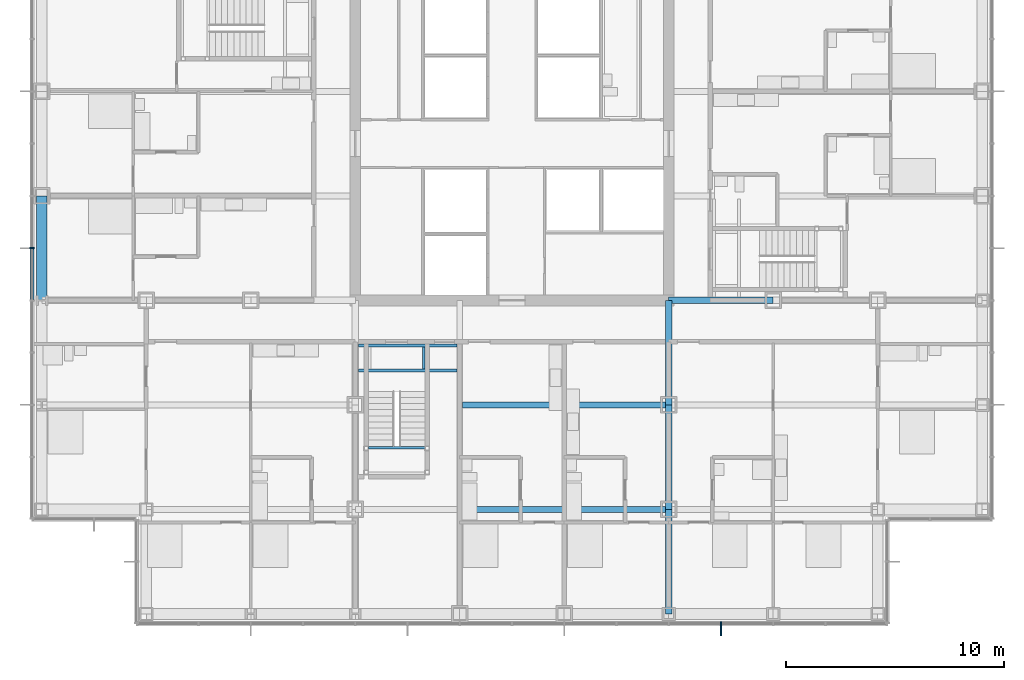
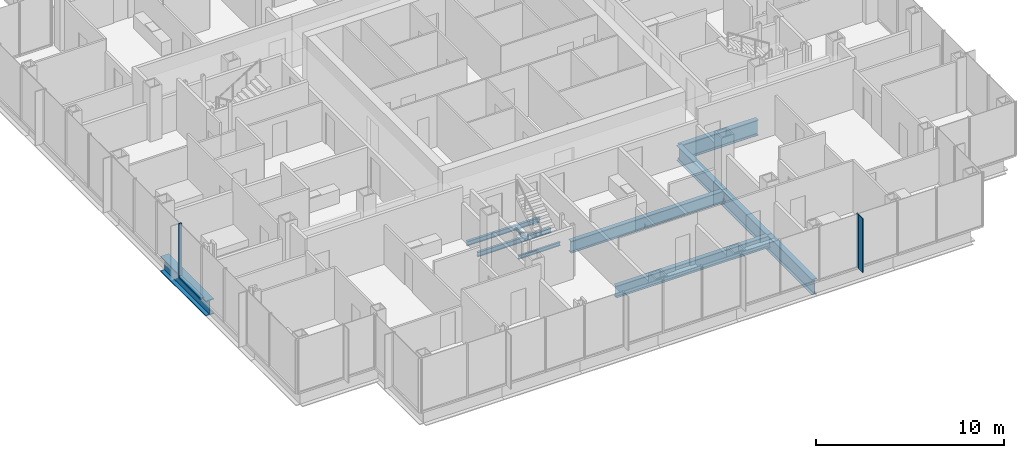
# One storey, part 7 of 21: 11 beams, 4 members, 2 elements without a shape of their own.
"""IFC4 building model written with IfcOpenShell, lengths in metres."""

import ifcopenshell
import ifcopenshell.guid

model = None  # the IFC model being written
_history = None  # IfcOwnerHistory: only IFC2X3 demands one
_inside = {}  # id of a spatial element -> (the spatial element, [elements in it])
_under = {}  # id of a project, library or spatial element -> (it, [spatial elements below it])
_declared = {}  # id of a project -> (the project, [libraries it declares])
_typed = {}  # id of a type object -> (the type object, [elements of that type])
_made_of = {}  # id of a material, layer set ... -> (it, [elements and type objects made of it])


def new_model(schema):
    """Start an empty IFC model of exactly this schema.

    Asked for "IFC4X3", IfcOpenShell would pick the latest addendum, in which some entities
    have other attributes; the version numbers below select the first issue.
    IFC2X3 requires an IfcOwnerHistory on every rooted entity: one is made here for all.
    """
    global model, _history
    if schema == "IFC4X3":
        model = ifcopenshell.file(schema_version=(4, 3, 0, 0))
    else:
        model = ifcopenshell.file(schema=schema)
    _inside.clear()
    _under.clear()
    _declared.clear()
    _typed.clear()
    _made_of.clear()
    _history = None
    if model.schema == "IFC2X3":
        org = make("IfcOrganization", Name="unknown")
        user = make(
            "IfcPersonAndOrganization",
            ThePerson=make("IfcPerson", FamilyName="unknown"),
            TheOrganization=org,
        )
        app = make(
            "IfcApplication",
            ApplicationDeveloper=org,
            Version="unknown",
            ApplicationFullName="unknown",
            ApplicationIdentifier="unknown",
        )
        _history = make(
            "IfcOwnerHistory",
            OwningUser=user,
            OwningApplication=app,
            ChangeAction="ADDED",
            CreationDate=0,
        )
    return model


def make(cls, **values):
    """One entity of the class cls with the attributes given. An attribute that is None is left unset."""
    return model.create_entity(
        cls, **{name: value for name, value in values.items() if value is not None}
    )


def rooted(cls, **values):
    """An entity with a GlobalId (a new one), such as an element, a storey or a relation."""
    return make(cls, GlobalId=ifcopenshell.guid.new(), OwnerHistory=_history, **values)


def si_unit(unit_type, name, prefix=None):
    """IfcSIUnit, for example si_unit("LENGTHUNIT", "METRE", prefix="MILLI")."""
    return make("IfcSIUnit", UnitType=unit_type, Prefix=prefix, Name=name)


def assignment(units):
    """IfcUnitAssignment: the units of a project."""
    return None if units is None else make("IfcUnitAssignment", Units=units)


def point(xyz):
    """IfcCartesianPoint."""
    return None if xyz is None else make("IfcCartesianPoint", Coordinates=xyz)


def direction(xyz):
    """IfcDirection."""
    return None if xyz is None else make("IfcDirection", DirectionRatios=xyz)


def frame(location, z_axis=None, x_axis=None):
    """IfcAxis2Placement3D, a coordinate frame: its origin and axes. An axis left out is left unset."""
    return make(
        "IfcAxis2Placement3D",
        Location=point(location),
        Axis=direction(z_axis),
        RefDirection=direction(x_axis),
    )


def frame_2d(location, x_axis=None):
    """IfcAxis2Placement2D, a coordinate frame in the plane: its origin and x axis."""
    return make(
        "IfcAxis2Placement2D", Location=point(location), RefDirection=direction(x_axis)
    )


def origin():
    """The frame at (0, 0, 0) with its axes left unset."""
    return frame((0.0, 0.0, 0.0))


def origin_2d():
    """The frame at (0, 0) in the plane with its x axis left unset."""
    return frame_2d((0.0, 0.0))


def place(relative_to, where):
    """IfcLocalPlacement: puts the frame where relative to a parent placement (None: the world)."""
    return make(
        "IfcLocalPlacement", PlacementRelTo=relative_to, RelativePlacement=where
    )


def context(
    kind, dimensions, precision=None, world=None, true_north=None, identifier=None
):
    """IfcGeometricRepresentationContext, for example the 3D "Model" context."""
    return make(
        "IfcGeometricRepresentationContext",
        ContextIdentifier=identifier,
        ContextType=kind,
        CoordinateSpaceDimension=dimensions,
        Precision=precision,
        WorldCoordinateSystem=world,
        TrueNorth=true_north,
    )


def subcontext(parent, identifier, kind, view, scale=None):
    """IfcGeometricRepresentationSubContext, for example "Body" below "Model"."""
    return make(
        "IfcGeometricRepresentationSubContext",
        ContextIdentifier=identifier,
        ContextType=kind,
        ParentContext=parent,
        TargetScale=scale,
        TargetView=view,
    )


def project(units=None, contexts=None):
    """IfcProject with its units and contexts."""
    return rooted(
        "IfcProject",
        Name="project",
        RepresentationContexts=contexts,
        UnitsInContext=assignment(units),
    )


def spatial(cls, under=None, at=None, **own):
    """A site, building, storey or space (cls), placed at a placement, below another one or the project."""
    s = rooted(cls, ObjectPlacement=at, **own)
    if under is not None:
        _under.setdefault(under.id(), (under, []))[1].append(s)
    return s


def profile(cls, at=None, kind="AREA", **sizes):
    """A parametric profile (cls). Its sizes go by their IFC names, for example OverallWidth=200.0."""
    return make(cls, ProfileType=kind, Position=at, **sizes)


def rectangle(**sizes):
    """IfcRectangleProfileDef."""
    return profile("IfcRectangleProfileDef", **sizes)


def i_section(**sizes):
    """IfcIShapeProfileDef."""
    return profile("IfcIShapeProfileDef", **sizes)


def extrude(swept, where, along, depth):
    """IfcExtrudedAreaSolid: the profile swept, set in the frame where, extruded along a direction by depth."""
    return make(
        "IfcExtrudedAreaSolid",
        SweptArea=swept,
        Position=where,
        ExtrudedDirection=direction(along),
        Depth=depth,
    )


def shape(context_of_items, identifier, shape_type, items):
    """IfcShapeRepresentation: the items that make up one representation, for example the "Body"."""
    return make(
        "IfcShapeRepresentation",
        ContextOfItems=context_of_items,
        RepresentationIdentifier=identifier,
        RepresentationType=shape_type,
        Items=items,
    )


def material(Name=None, Category=None):
    """IfcMaterial."""
    return make("IfcMaterial", Name=Name, Category=Category)


def material_profile(
    of_material, cross_section, Name=None, Category=None, Priority=None
):
    """IfcMaterialProfile: a cross section and its material."""
    return make(
        "IfcMaterialProfile",
        Name=Name,
        Material=of_material,
        Profile=cross_section,
        Priority=Priority,
        Category=Category,
    )


def profile_set(profiles, Name=None, composite=None):
    """IfcMaterialProfileSet."""
    return make(
        "IfcMaterialProfileSet",
        Name=Name,
        MaterialProfiles=profiles,
        CompositeProfile=composite,
    )


def made_of(thing, what):
    """Note that an element or type object is made of a material, layer set ...; save() writes the relation."""
    if what is not None:
        _made_of.setdefault(what.id(), (what, []))[1].append(thing)
    return thing


def type_object(cls, material=None, **own):
    """A type object (cls), such as IfcWallType, which elements share."""
    return made_of(rooted(cls, **own), material)


def element(
    cls,
    number,
    at=None,
    inside=None,
    cuts=None,
    type_object=None,
    material=None,
    context=None,
    identifier="Body",
    shape_type=None,
    held_by="IfcProductDefinitionShape",
    body=None,
    shapes=None,
    **own,
):
    """One element of the class cls, such as IfcWall. Its Tag is "e" and its number.

    at: its placement. inside: the storey or other place that contains it. cuts: it is an
    opening in that element (IfcRelVoidsElement). A single representation is given by context,
    identifier, shape_type and body (its items); several are given by shapes. held_by: the class
    of the entity that holds the representations. save() writes the other relations.
    """
    e = rooted(cls, Tag="e%d" % number, ObjectPlacement=at, **own)
    if body is not None:
        shapes = [shape(context, identifier, shape_type, body)]
    if shapes is not None:
        e.Representation = make(held_by, Representations=shapes)
    if inside is not None:
        _inside.setdefault(inside.id(), (inside, []))[1].append(e)
    if cuts is not None:
        rooted(
            "IfcRelVoidsElement", RelatingBuildingElement=cuts, RelatedOpeningElement=e
        )
    if type_object is not None:
        _typed.setdefault(type_object.id(), (type_object, []))[1].append(e)
    return made_of(e, material)


def aggregate(whole, parts):
    """IfcRelAggregates: a whole, such as a stair, and the parts it consists of."""
    return rooted("IfcRelAggregates", RelatingObject=whole, RelatedObjects=parts)


def save(model, path):
    """Write the relations noted so far, then the file.

    IfcRelAggregates (storeys below a building ...), IfcRelContainedInSpatialStructure (elements
    in a storey), IfcRelDefinesByType, IfcRelAssociatesMaterial and IfcRelDeclares: one each for
    every whole, place, type object, material and project.
    """
    for whole, parts in _under.values():
        aggregate(whole, parts)
    for where, things in _inside.values():
        rooted(
            "IfcRelContainedInSpatialStructure",
            RelatedElements=things,
            RelatingStructure=where,
        )
    for kind, things in _typed.values():
        rooted("IfcRelDefinesByType", RelatedObjects=things, RelatingType=kind)
    for what, things in _made_of.values():
        rooted("IfcRelAssociatesMaterial", RelatedObjects=things, RelatingMaterial=what)
    for by, libraries in _declared.values():
        rooted("IfcRelDeclares", RelatingContext=by, RelatedDefinitions=libraries)
    model.write(path)


model = new_model("IFC4")

# Units and contexts
model_context = context("Model", 3, precision=1e-05, world=origin(), true_north=direction((0.0, 1.0)))
body_context = subcontext(model_context, "Body", "Model", "MODEL_VIEW")
ifc_project = project(units=[si_unit("LENGTHUNIT", "METRE"), si_unit("AREAUNIT", "SQUARE_METRE"), si_unit("VOLUMEUNIT", "CUBIC_METRE"), si_unit("PLANEANGLEUNIT", "RADIAN"), si_unit("MASSUNIT", "GRAM", prefix="KILO")], contexts=[model_context])

# Site, building, storey
site_placement = place(None, origin())
site = spatial("IfcSite", under=ifc_project, at=site_placement, CompositionType="ELEMENT")
building_placement = place(site_placement, origin())
building = spatial("IfcBuilding", under=site, at=building_placement, Name="Kvirike Care Tower", CompositionType="ELEMENT")
storey_placement = place(building_placement, frame((0.0, 0.0, 55.0)))
storey = spatial("IfcBuildingStorey", under=building, at=storey_placement, Name="L14", CompositionType="ELEMENT", Elevation=55.0)

# Curtain wall, member
ifc_material_1 = material(Name="Anodised aluminium stick system", Category="aluminium")
curtain_wall_type = type_object("IfcCurtainWallType", Name="CW-A STICK CURTAIN WALL", PredefinedType="NOTDEFINED", material=ifc_material_1)
curtain_wall_1_placement = place(storey_placement, origin())
curtain_wall_1 = element("IfcCurtainWall", 1, at=curtain_wall_1_placement, inside=storey, type_object=curtain_wall_type, Name="Curtain wall L14 face 4", PredefinedType="NOTDEFINED")
ifc_material_2 = material(Name="Bronze anodised aluminium fin", Category="aluminium")
ifc_material_profile_1 = material_profile(ifc_material_2, rectangle(XDim=0.050048828125, YDim=0.449951171875, at=origin_2d()), Name="BRONZE FIN 450")
ifc_profile_set_1 = profile_set([ifc_material_profile_1], Name="Bronze anodised aluminium fin")
member_type_1 = type_object("IfcMemberType", Name="BRONZE FIN 450", PredefinedType="USERDEFINED", material=ifc_profile_set_1)
member_1_placement = place(storey_placement, frame((31.199951171875, 13.625, 0.0), z_axis=(0.0, 0.0, 1.0), x_axis=(1.0, 0.0, 0.0)))
member_1 = element("IfcMember", 2, at=member_1_placement, type_object=member_type_1, Name="Bronze fin L14 face 4.12", ObjectType="FIN", PredefinedType="USERDEFINED", context=body_context, shape_type="SweptSolid", body=[
    extrude(rectangle(XDim=0.050048828125, YDim=0.449951171875, at=origin_2d()), origin(), (0.0, 0.0, 1.0), 3.5),
])

curtain_wall_2_placement = place(storey_placement, origin())
curtain_wall_2 = element("IfcCurtainWall", 3, at=curtain_wall_2_placement, inside=storey, type_object=curtain_wall_type, Name="Curtain wall L14 face 1", PredefinedType="NOTDEFINED")
ifc_material_3 = material(Name="Bronze anodised aluminium mullion", Category="aluminium")
ifc_material_profile_2 = material_profile(ifc_material_3, rectangle(XDim=0.06494140625, YDim=0.199951171875, at=origin_2d()), Name="CW-A MULLION 65x200")
ifc_profile_set_2 = profile_set([ifc_material_profile_2], Name="Bronze anodised aluminium mullion")
member_type_2 = type_object("IfcMemberType", Name="CW-A MULLION 65x200", PredefinedType="MULLION", material=ifc_profile_set_2)
member_2_placement = place(storey_placement, frame((-0.449951171875, 31.199951171875, 0.0), z_axis=(0.0, 0.0, 1.0), x_axis=(0.0, -1.0, 0.0)))
member_2 = element("IfcMember", 4, at=member_2_placement, type_object=member_type_2, Name="CW-A mullion L14 face 1.10", PredefinedType="MULLION", context=body_context, shape_type="SweptSolid", body=[
    extrude(rectangle(XDim=0.06494140625, YDim=0.199951171875, at=origin_2d()), origin(), (0.0, 0.0, 1.0), 3.5),
])

# Member
member_3_placement = place(storey_placement, frame((31.199951171875, 13.949951171875, 0.0), z_axis=(0.0, 0.0, 1.0), x_axis=(1.0, 0.0, 0.0)))
member_3 = element("IfcMember", 5, at=member_3_placement, type_object=member_type_2, Name="CW-A mullion L14 face 4.12", PredefinedType="MULLION", context=body_context, shape_type="SweptSolid", body=[
    extrude(rectangle(XDim=0.06494140625, YDim=0.199951171875, at=origin_2d()), origin(), (0.0, 0.0, 1.0), 3.5),
])

aggregate(curtain_wall_1, [member_3, member_1])

ifc_material_4 = material(Name="Bronze anodised aluminium transom", Category="aluminium")
ifc_material_profile_3 = material_profile(ifc_material_4, rectangle(XDim=0.199951171875, YDim=0.10009765625, at=origin_2d()), Name="CW-A TRANSOM 200x100")
ifc_profile_set_3 = profile_set([ifc_material_profile_3], Name="Bronze anodised aluminium transom")
member_type_3 = type_object("IfcMemberType", Name="CW-A TRANSOM 200x100", PredefinedType="USERDEFINED", material=ifc_profile_set_3)
member_4_placement = place(storey_placement, frame((-0.449951171875, 31.16748046875, 0.050048828125), z_axis=(0.0, -1.0, 0.0), x_axis=(1.0, 0.0, 0.0)))
member_4 = element("IfcMember", 6, at=member_4_placement, type_object=member_type_3, Name="CW-A sill transom L14 face 1.10", ObjectType="TRANSOM", PredefinedType="USERDEFINED", context=body_context, shape_type="SweptSolid", body=[
    extrude(rectangle(XDim=0.199951171875, YDim=0.10009765625, at=origin_2d()), origin(), (0.0, 0.0, 1.0), 2.3349609375),
])

aggregate(curtain_wall_2, [member_2, member_4])

# Beams
ifc_material_5 = material(Name="Steel S355", Category="steel")
ifc_material_profile_4 = material_profile(ifc_material_5, i_section(OverallWidth=0.26806640625, OverallDepth=0.77001953125, WebThickness=0.015625, FlangeThickness=0.025390625, FilletRadius=0.01708984375, at=origin_2d()), Name="IPE 750x196")
ifc_profile_set_4 = profile_set([ifc_material_profile_4], Name="Steel S355")
beam_type_1 = type_object("IfcBeamType", Name="FLOOR BEAM IPE 750x196", PredefinedType="BEAM", material=ifc_profile_set_4)
for number, where, z_axis, x_axis, name in (
    (7, (19.333984375, 19.199951171875, -0.554931640625), (1.0, 0.0, 0.0), (0.0, 1.0, 0.0), "Floor Beam E7-E9 L14"),
    (8, (19.333984375, 24.0, -0.554931640625), (1.0, 0.0, 0.0), (0.0, 1.0, 0.0), "Floor Beam F7-F9 L14"),
):
    element("IfcBeam", number, at=place(storey_placement, frame(where, z_axis=z_axis, x_axis=x_axis)), inside=storey, type_object=beam_type_1, Name=name, PredefinedType="BEAM", context=body_context, shape_type="SweptSolid", body=[
        extrude(i_section(OverallWidth=0.26806640625, OverallDepth=0.77001953125, WebThickness=0.015625, FlangeThickness=0.025390625, FilletRadius=0.01708984375, at=origin_2d()), origin(), (0.0, 0.0, 1.0), 9.466064453125),
    ])
ifc_material_6 = material(Name="Steel S355", Category="steel")
ifc_material_profile_5 = material_profile(ifc_material_6, i_section(OverallWidth=0.300048828125, OverallDepth=1.0, WebThickness=0.01904296875, FlangeThickness=0.035888671875, FilletRadius=0.030029296875, at=origin_2d()), Name="HE 1000 B")
ifc_profile_set_5 = profile_set([ifc_material_profile_5], Name="Steel S355")
beam_type_2 = type_object("IfcBeamType", Name="FRAME BEAM HE 1000 B", PredefinedType="BEAM", material=ifc_profile_set_5)
for number, where, z_axis, x_axis, name in (
    (9, (28.800048828125, 28.800048828125, -0.669921875), (1.0, 0.0, 0.0), (0.0, 1.0, 0.0), "Frame Beam G9-G10 L14"),
    (10, (28.800048828125, 14.39990234375, -0.669921875), (0.0, 1.0, 0.0), (-1.0, 0.0, 0.0), "Frame Beam D9-E9 L14"),
    (11, (28.800048828125, 19.199951171875, -0.669921875), (0.0, 1.0, 0.0), (-1.0, 0.0, 0.0), "Frame Beam E9-F9 L14"),
    (12, (28.800048828125, 24.0, -0.669921875), (0.0, 1.0, 0.0), (-1.0, 0.0, 0.0), "Frame Beam F9-G9 L14"),
):
    element("IfcBeam", number, at=place(storey_placement, frame(where, z_axis=z_axis, x_axis=x_axis)), inside=storey, type_object=beam_type_2, Name=name, PredefinedType="BEAM", context=body_context, shape_type="SweptSolid", body=[
        extrude(i_section(OverallWidth=0.300048828125, OverallDepth=1.0, WebThickness=0.01904296875, FlangeThickness=0.035888671875, FilletRadius=0.030029296875, at=origin_2d()), origin(), (0.0, 0.0, 1.0), 4.800048828125),
    ])
ifc_material_7 = material(Name="Steel S355", Category="steel")
ifc_material_profile_6 = material_profile(ifc_material_7, i_section(OverallWidth=0.5, OverallDepth=1.0, WebThickness=0.030029296875, FlangeThickness=0.06005859375, at=origin_2d()), Name="PG 1000x500x30x60")
ifc_profile_set_6 = profile_set([ifc_material_profile_6], Name="Steel S355")
beam_type_3 = type_object("IfcBeamType", Name="SPANDREL PG 1000x500x30x60", PredefinedType="SPANDREL", material=ifc_profile_set_6)
beam_1_placement = place(storey_placement, frame((0.0, 28.800048828125, -0.669921875), z_axis=(0.0, 1.0, 0.0), x_axis=(-1.0, 0.0, 0.0)))
element("IfcBeam", 13, at=beam_1_placement, inside=storey, type_object=beam_type_3, Name="Spandrel G3-H3 L14", PredefinedType="SPANDREL", context=body_context, shape_type="SweptSolid", body=[
    extrude(i_section(OverallWidth=0.5, OverallDepth=1.0, WebThickness=0.030029296875, FlangeThickness=0.06005859375, at=origin_2d()), origin(), (0.0, 0.0, 1.0), 4.800048828125),
])
ifc_material_8 = material(Name="Steel S355", Category="steel")
ifc_material_profile_7 = material_profile(ifc_material_8, i_section(OverallWidth=0.1201171875, OverallDepth=0.239990234375, WebThickness=0.006103515625, FlangeThickness=0.009765625, FilletRadius=0.014892578125, at=origin_2d()), Name="IPE 240")
ifc_profile_set_7 = profile_set([ifc_material_profile_7], Name="Steel S355")
beam_type_4 = type_object("IfcBeamType", Name="STAIR LANDING BEAM IPE 240", PredefinedType="BEAM", material=ifc_profile_set_7)
beam_2_placement = place(storey_placement, frame((15.0, 22.0400390625, 1.429931640625), z_axis=(1.0, 0.0, 0.0), x_axis=(0.0, 1.0, 0.0)))
element("IfcBeam", 14, at=beam_2_placement, inside=storey, type_object=beam_type_4, Name="Stair 5 landing beam front L14", PredefinedType="BEAM", context=body_context, shape_type="SweptSolid", body=[
    extrude(i_section(OverallWidth=0.1201171875, OverallDepth=0.239990234375, WebThickness=0.006103515625, FlangeThickness=0.009765625, FilletRadius=0.014892578125, at=origin_2d()), origin(), (0.0, 0.0, 1.0), 2.60009765625),
])
beam_3_placement = place(storey_placement, frame((17.5400390625, 25.64990234375, -0.320068359375), z_axis=(0.0, 1.0, 0.0), x_axis=(-1.0, 0.0, 0.0)))
element("IfcBeam", 15, at=beam_3_placement, inside=storey, type_object=beam_type_4, Name="Stair 5 landing edge beam 2 L14", PredefinedType="BEAM", context=body_context, shape_type="SweptSolid", body=[
    extrude(i_section(OverallWidth=0.1201171875, OverallDepth=0.239990234375, WebThickness=0.006103515625, FlangeThickness=0.009765625, FilletRadius=0.014892578125, at=origin_2d()), origin(), (0.0, 0.0, 1.0), 1.0),
])
ifc_material_9 = material(Name="Steel S355", Category="steel")
ifc_material_profile_8 = material_profile(ifc_material_9, i_section(OverallWidth=0.14990234375, OverallDepth=0.300048828125, WebThickness=0.007080078125, FlangeThickness=0.0107421875, FilletRadius=0.014892578125, at=origin_2d()), Name="IPE 300")
ifc_profile_set_8 = profile_set([ifc_material_profile_8], Name="Steel S355")
beam_type_5 = type_object("IfcBeamType", Name="STAIR TRIMMER IPE 300", PredefinedType="BEAM", material=ifc_profile_set_8)
for number, where, z_axis, x_axis, name in (
    (16, (14.550048828125, 25.574951171875, -0.35009765625), (1.0, 0.0, 0.0), (0.0, 1.0, 0.0), "Stair 5 trimmer 1 L14"),
    (17, (14.550048828125, 26.72509765625, -0.35009765625), (1.0, 0.0, 0.0), (0.0, 1.0, 0.0), "Stair 5 trimmer 2 L14"),
):
    element("IfcBeam", number, at=place(storey_placement, frame(where, z_axis=z_axis, x_axis=x_axis)), inside=storey, type_object=beam_type_5, Name=name, PredefinedType="BEAM", context=body_context, shape_type="SweptSolid", body=[
        extrude(i_section(OverallWidth=0.14990234375, OverallDepth=0.300048828125, WebThickness=0.007080078125, FlangeThickness=0.0107421875, FilletRadius=0.014892578125, at=origin_2d()), origin(), (0.0, 0.0, 1.0), 4.515869140625),
    ])

save(model, "model.ifc")
